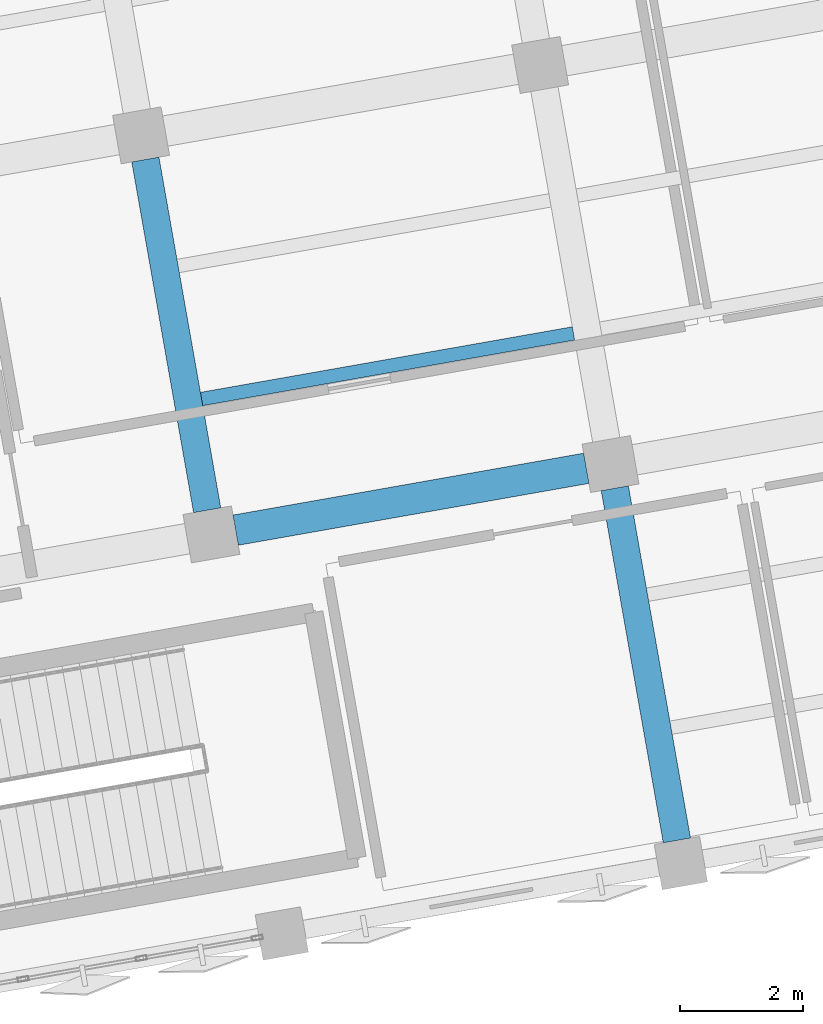
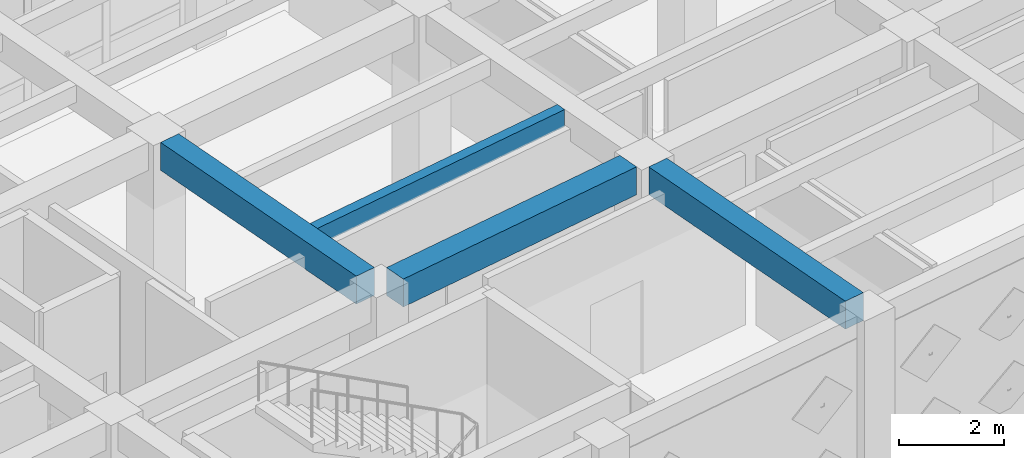
# One storey, part 19 of 80: 4 beams.
"""IFC4 building model written with IfcOpenShell, lengths in metres."""

from ifc_helpers import new_model, si_unit, direction, frame, origin, origin_2d, place, context, subcontext, project, spatial, rectangle, extrude, material, material_profile, profile_set, type_object, element, save


model = new_model("IFC4")

# Units and contexts
model_context = context("Model", 3, precision=1e-05, world=origin(), true_north=direction((0.0, 1.0)))
body_context = subcontext(model_context, "Body", "Model", "MODEL_VIEW")
ifc_project = project(units=[si_unit("LENGTHUNIT", "METRE"), si_unit("AREAUNIT", "SQUARE_METRE"), si_unit("VOLUMEUNIT", "CUBIC_METRE"), si_unit("PLANEANGLEUNIT", "RADIAN"), si_unit("MASSUNIT", "GRAM", prefix="KILO")], contexts=[model_context])

# Site, building, storey
site_placement = place(None, origin())
site = spatial("IfcSite", under=ifc_project, at=site_placement, CompositionType="ELEMENT")
building_placement = place(site_placement, origin())
building = spatial("IfcBuilding", under=site, at=building_placement, Name="Kharisveld Research Institute", CompositionType="ELEMENT")
storey_placement = place(building_placement, frame((0.0, 0.0, 5.10009765625)))
storey = spatial("IfcBuildingStorey", under=building, at=storey_placement, Name="L01", CompositionType="ELEMENT", Elevation=5.10009765625)

# Beams
ifc_material_1 = material(Name="Concrete C40/50", Category="concrete")
ifc_material_profile_1 = material_profile(ifc_material_1, rectangle(XDim=0.449951171875, YDim=0.64990234375, at=origin_2d()))
ifc_profile_set_1 = profile_set([ifc_material_profile_1], Name="Concrete C40/50")
beam_type_1 = type_object("IfcBeamType", Name="BM_RC_450x650", PredefinedType="BEAM", material=ifc_profile_set_1)
beam_1_placement = place(storey_placement, frame((23.483642578125, 45.341796875, 3.98486328125), z_axis=(-0.17363405094, 0.984810243831, 0.0), x_axis=(-0.984810243831, -0.17363405094, 0.0)))
element("IfcBeam", 1, at=beam_1_placement, inside=storey, type_object=beam_type_1, Name="BM:V1:L01:V3_1", PredefinedType="BEAM", context=body_context, shape_type="SweptSolid", body=[
    extrude(rectangle(XDim=0.449951171875, YDim=0.64990234375, at=origin_2d()), origin(), (0.0, 0.0, 1.0), 5.800048828125),
])
beam_2_placement = place(storey_placement, frame((31.1337890625, 39.963623046875, 3.98486328125), z_axis=(-0.173641874505, 0.984808864409, 0.0), x_axis=(-0.984808864409, -0.173641874505, 0.0)))
element("IfcBeam", 2, at=beam_2_placement, inside=storey, type_object=beam_type_1, Name="BM:V1:L01:V4_0", PredefinedType="BEAM", context=body_context, shape_type="SweptSolid", body=[
    extrude(rectangle(XDim=0.449951171875, YDim=0.64990234375, at=origin_2d()), origin(), (0.0, 0.0, 1.0), 5.824951171875),
])
ifc_material_2 = material(Name="Concrete C40/50", Category="concrete")
ifc_material_profile_2 = material_profile(ifc_material_2, rectangle(XDim=0.5, YDim=0.64990234375, at=origin_2d()))
ifc_profile_set_2 = profile_set([ifc_material_profile_2], Name="Concrete C40/50")
beam_type_2 = type_object("IfcBeamType", Name="BM_RC_500x650", PredefinedType="BEAM", material=ifc_profile_set_2)
beam_3_placement = place(storey_placement, frame((23.947021484375, 45.017333984375, 3.98486328125), z_axis=(0.98480304526, 0.17367487454, 0.0), x_axis=(-0.17367487454, 0.98480304526, 0.0)))
element("IfcBeam", 3, at=beam_3_placement, inside=storey, type_object=beam_type_2, Name="BM:V1:L01:U3_1", PredefinedType="BEAM", context=body_context, shape_type="SweptSolid", body=[
    extrude(rectangle(XDim=0.5, YDim=0.64990234375, at=origin_2d()), origin(), (0.0, 0.0, 1.0), 5.800048828125),
])
ifc_material_3 = material(Name="Concrete C40/50", Category="concrete")
ifc_material_profile_3 = material_profile(ifc_material_3, rectangle(XDim=0.219970703125, YDim=0.39990234375, at=origin_2d()))
ifc_profile_set_3 = profile_set([ifc_material_profile_3], Name="Concrete C40/50")
beam_type_3 = type_object("IfcBeamType", Name="WB_RC_220x400", PredefinedType="JOIST", material=ifc_profile_set_3)
beam_4_placement = place(storey_placement, frame((23.392578125, 47.153564453125, 4.10986328125), z_axis=(0.984809923515, 0.173635867682, 0.0), x_axis=(-0.173635867682, 0.984809923515, 0.0)))
element("IfcBeam", 4, at=beam_4_placement, inside=storey, type_object=beam_type_3, Name="BM:V1:L01:J_3_1_R1", PredefinedType="JOIST", context=body_context, shape_type="SweptSolid", body=[
    extrude(rectangle(XDim=0.219970703125, YDim=0.39990234375, at=origin_2d()), origin(), (0.0, 0.0, 1.0), 6.150146484375),
])

save(model, "model.ifc")
